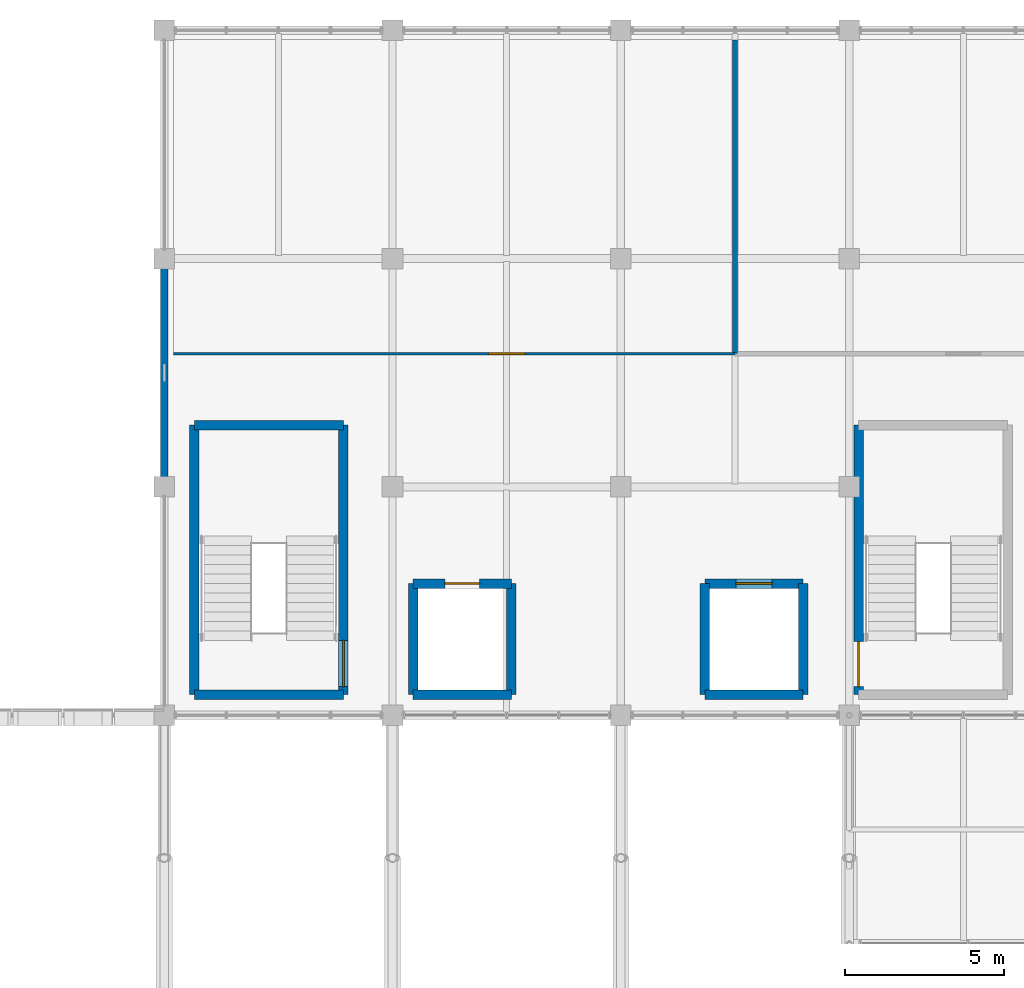
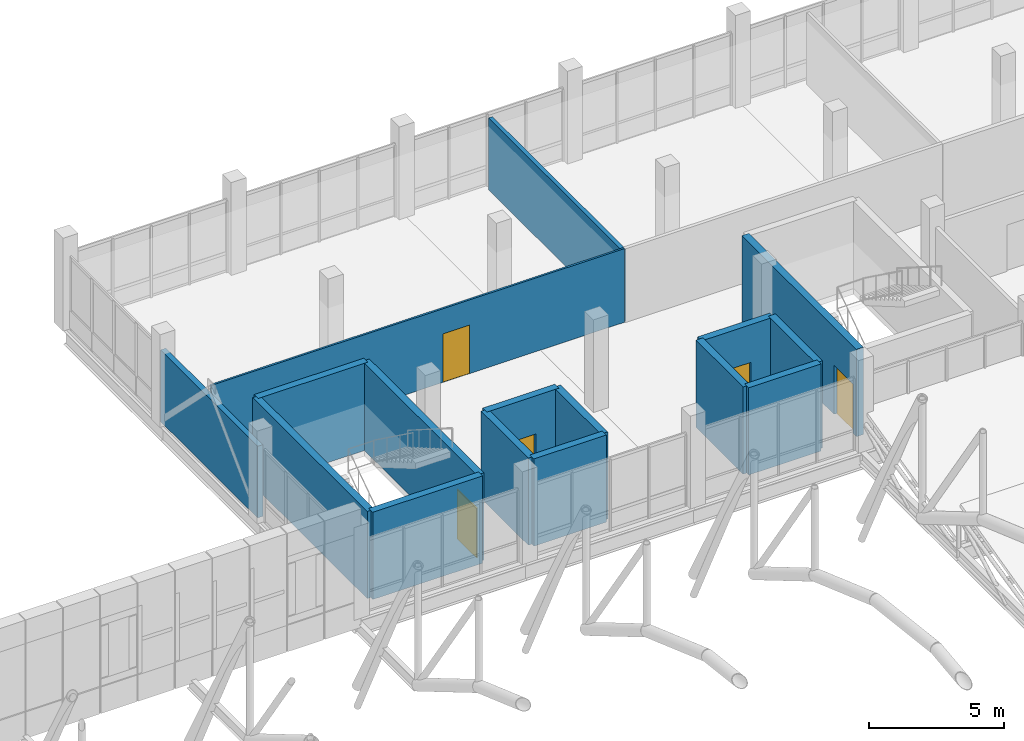
# One storey, part 103 of 144: 16 walls, 5 doors, 5 openings.
"""IFC4 building model written with IfcOpenShell, lengths in metres."""

import ifcopenshell
import ifcopenshell.guid

model = None  # the IFC model being written
_history = None  # IfcOwnerHistory: only IFC2X3 demands one
_inside = {}  # id of a spatial element -> (the spatial element, [elements in it])
_under = {}  # id of a project, library or spatial element -> (it, [spatial elements below it])
_declared = {}  # id of a project -> (the project, [libraries it declares])
_typed = {}  # id of a type object -> (the type object, [elements of that type])
_made_of = {}  # id of a material, layer set ... -> (it, [elements and type objects made of it])


def new_model(schema):
    """Start an empty IFC model of exactly this schema.

    Asked for "IFC4X3", IfcOpenShell would pick the latest addendum, in which some entities
    have other attributes; the version numbers below select the first issue.
    IFC2X3 requires an IfcOwnerHistory on every rooted entity: one is made here for all.
    """
    global model, _history
    if schema == "IFC4X3":
        model = ifcopenshell.file(schema_version=(4, 3, 0, 0))
    else:
        model = ifcopenshell.file(schema=schema)
    _inside.clear()
    _under.clear()
    _declared.clear()
    _typed.clear()
    _made_of.clear()
    _history = None
    if model.schema == "IFC2X3":
        org = make("IfcOrganization", Name="unknown")
        user = make(
            "IfcPersonAndOrganization",
            ThePerson=make("IfcPerson", FamilyName="unknown"),
            TheOrganization=org,
        )
        app = make(
            "IfcApplication",
            ApplicationDeveloper=org,
            Version="unknown",
            ApplicationFullName="unknown",
            ApplicationIdentifier="unknown",
        )
        _history = make(
            "IfcOwnerHistory",
            OwningUser=user,
            OwningApplication=app,
            ChangeAction="ADDED",
            CreationDate=0,
        )
    return model


def make(cls, **values):
    """One entity of the class cls with the attributes given. An attribute that is None is left unset."""
    return model.create_entity(
        cls, **{name: value for name, value in values.items() if value is not None}
    )


def rooted(cls, **values):
    """An entity with a GlobalId (a new one), such as an element, a storey or a relation."""
    return make(cls, GlobalId=ifcopenshell.guid.new(), OwnerHistory=_history, **values)


def si_unit(unit_type, name, prefix=None):
    """IfcSIUnit, for example si_unit("LENGTHUNIT", "METRE", prefix="MILLI")."""
    return make("IfcSIUnit", UnitType=unit_type, Prefix=prefix, Name=name)


def assignment(units):
    """IfcUnitAssignment: the units of a project."""
    return None if units is None else make("IfcUnitAssignment", Units=units)


def point(xyz):
    """IfcCartesianPoint."""
    return None if xyz is None else make("IfcCartesianPoint", Coordinates=xyz)


def direction(xyz):
    """IfcDirection."""
    return None if xyz is None else make("IfcDirection", DirectionRatios=xyz)


def frame(location, z_axis=None, x_axis=None):
    """IfcAxis2Placement3D, a coordinate frame: its origin and axes. An axis left out is left unset."""
    return make(
        "IfcAxis2Placement3D",
        Location=point(location),
        Axis=direction(z_axis),
        RefDirection=direction(x_axis),
    )


def frame_2d(location, x_axis=None):
    """IfcAxis2Placement2D, a coordinate frame in the plane: its origin and x axis."""
    return make(
        "IfcAxis2Placement2D", Location=point(location), RefDirection=direction(x_axis)
    )


def origin():
    """The frame at (0, 0, 0) with its axes left unset."""
    return frame((0.0, 0.0, 0.0))


def place(relative_to, where):
    """IfcLocalPlacement: puts the frame where relative to a parent placement (None: the world)."""
    return make(
        "IfcLocalPlacement", PlacementRelTo=relative_to, RelativePlacement=where
    )


def context(
    kind, dimensions, precision=None, world=None, true_north=None, identifier=None
):
    """IfcGeometricRepresentationContext, for example the 3D "Model" context."""
    return make(
        "IfcGeometricRepresentationContext",
        ContextIdentifier=identifier,
        ContextType=kind,
        CoordinateSpaceDimension=dimensions,
        Precision=precision,
        WorldCoordinateSystem=world,
        TrueNorth=true_north,
    )


def subcontext(parent, identifier, kind, view, scale=None):
    """IfcGeometricRepresentationSubContext, for example "Body" below "Model"."""
    return make(
        "IfcGeometricRepresentationSubContext",
        ContextIdentifier=identifier,
        ContextType=kind,
        ParentContext=parent,
        TargetScale=scale,
        TargetView=view,
    )


def project(units=None, contexts=None):
    """IfcProject with its units and contexts."""
    return rooted(
        "IfcProject",
        Name="project",
        RepresentationContexts=contexts,
        UnitsInContext=assignment(units),
    )


def spatial(cls, under=None, at=None, **own):
    """A site, building, storey or space (cls), placed at a placement, below another one or the project."""
    s = rooted(cls, ObjectPlacement=at, **own)
    if under is not None:
        _under.setdefault(under.id(), (under, []))[1].append(s)
    return s


def profile(cls, at=None, kind="AREA", **sizes):
    """A parametric profile (cls). Its sizes go by their IFC names, for example OverallWidth=200.0."""
    return make(cls, ProfileType=kind, Position=at, **sizes)


def rectangle(**sizes):
    """IfcRectangleProfileDef."""
    return profile("IfcRectangleProfileDef", **sizes)


def extrude(swept, where, along, depth):
    """IfcExtrudedAreaSolid: the profile swept, set in the frame where, extruded along a direction by depth."""
    return make(
        "IfcExtrudedAreaSolid",
        SweptArea=swept,
        Position=where,
        ExtrudedDirection=direction(along),
        Depth=depth,
    )


def shape(context_of_items, identifier, shape_type, items):
    """IfcShapeRepresentation: the items that make up one representation, for example the "Body"."""
    return make(
        "IfcShapeRepresentation",
        ContextOfItems=context_of_items,
        RepresentationIdentifier=identifier,
        RepresentationType=shape_type,
        Items=items,
    )


def material(Name=None, Category=None):
    """IfcMaterial."""
    return make("IfcMaterial", Name=Name, Category=Category)


def layer(
    of_material, thickness, ventilated=None, Name=None, Category=None, Priority=None
):
    """IfcMaterialLayer: one layer of a wall or slab, of a material (None: an air gap)."""
    return make(
        "IfcMaterialLayer",
        Material=of_material,
        LayerThickness=thickness,
        IsVentilated=ventilated,
        Name=Name,
        Category=Category,
        Priority=Priority,
    )


def layer_set(layers, Name=None):
    """IfcMaterialLayerSet."""
    return make("IfcMaterialLayerSet", MaterialLayers=layers, LayerSetName=Name)


def made_of(thing, what):
    """Note that an element or type object is made of a material, layer set ...; save() writes the relation."""
    if what is not None:
        _made_of.setdefault(what.id(), (what, []))[1].append(thing)
    return thing


def type_object(cls, material=None, **own):
    """A type object (cls), such as IfcWallType, which elements share."""
    return made_of(rooted(cls, **own), material)


def element(
    cls,
    number,
    at=None,
    inside=None,
    cuts=None,
    type_object=None,
    material=None,
    context=None,
    identifier="Body",
    shape_type=None,
    held_by="IfcProductDefinitionShape",
    body=None,
    shapes=None,
    **own,
):
    """One element of the class cls, such as IfcWall. Its Tag is "e" and its number.

    at: its placement. inside: the storey or other place that contains it. cuts: it is an
    opening in that element (IfcRelVoidsElement). A single representation is given by context,
    identifier, shape_type and body (its items); several are given by shapes. held_by: the class
    of the entity that holds the representations. save() writes the other relations.
    """
    e = rooted(cls, Tag="e%d" % number, ObjectPlacement=at, **own)
    if body is not None:
        shapes = [shape(context, identifier, shape_type, body)]
    if shapes is not None:
        e.Representation = make(held_by, Representations=shapes)
    if inside is not None:
        _inside.setdefault(inside.id(), (inside, []))[1].append(e)
    if cuts is not None:
        rooted(
            "IfcRelVoidsElement", RelatingBuildingElement=cuts, RelatedOpeningElement=e
        )
    if type_object is not None:
        _typed.setdefault(type_object.id(), (type_object, []))[1].append(e)
    return made_of(e, material)


def fill(opening, filler):
    """IfcRelFillsElement: the door or window that sits in an opening."""
    return rooted(
        "IfcRelFillsElement",
        RelatingOpeningElement=opening,
        RelatedBuildingElement=filler,
    )


def aggregate(whole, parts):
    """IfcRelAggregates: a whole, such as a stair, and the parts it consists of."""
    return rooted("IfcRelAggregates", RelatingObject=whole, RelatedObjects=parts)


def save(model, path):
    """Write the relations noted so far, then the file.

    IfcRelAggregates (storeys below a building ...), IfcRelContainedInSpatialStructure (elements
    in a storey), IfcRelDefinesByType, IfcRelAssociatesMaterial and IfcRelDeclares: one each for
    every whole, place, type object, material and project.
    """
    for whole, parts in _under.values():
        aggregate(whole, parts)
    for where, things in _inside.values():
        rooted(
            "IfcRelContainedInSpatialStructure",
            RelatedElements=things,
            RelatingStructure=where,
        )
    for kind, things in _typed.values():
        rooted("IfcRelDefinesByType", RelatedObjects=things, RelatingType=kind)
    for what, things in _made_of.values():
        rooted("IfcRelAssociatesMaterial", RelatedObjects=things, RelatingMaterial=what)
    for by, libraries in _declared.values():
        rooted("IfcRelDeclares", RelatingContext=by, RelatedDefinitions=libraries)
    model.write(path)


model = new_model("IFC4")

# Units and contexts
model_context = context("Model", 3, precision=1e-05, world=origin(), true_north=direction((0.0, 1.0)))
body_context = subcontext(model_context, "Body", "Model", "MODEL_VIEW")
ifc_project = project(units=[si_unit("LENGTHUNIT", "METRE"), si_unit("AREAUNIT", "SQUARE_METRE"), si_unit("VOLUMEUNIT", "CUBIC_METRE"), si_unit("PLANEANGLEUNIT", "RADIAN"), si_unit("MASSUNIT", "GRAM", prefix="KILO")], contexts=[model_context])

# Site, building, storey
site_placement = place(None, origin())
site = spatial("IfcSite", under=ifc_project, at=site_placement, CompositionType="ELEMENT")
building_placement = place(site_placement, origin())
building = spatial("IfcBuilding", under=site, at=building_placement, Name="Yarey Park Central Fire Station", CompositionType="ELEMENT")
storey_placement = place(building_placement, frame((0.0, 0.0, 10.199951171875)))
storey = spatial("IfcBuildingStorey", under=building, at=storey_placement, Name="L03", CompositionType="ELEMENT", Elevation=10.199951171875)

# Walls
ifc_material_1 = material(Name="Concrete C35/45", Category="concrete")
ifc_layer_1 = layer(ifc_material_1, 0.22998046875)
ifc_layer_set_1 = layer_set([ifc_layer_1], Name="Concrete C35/45")
wall_type_1 = type_object("IfcWallType", Name="ENV_WALL_INS230", PredefinedType="STANDARD", material=ifc_layer_set_1)
wall_1_placement = place(storey_placement, frame((115.199951171875, 108.0, 0.0), z_axis=(0.0, 0.0, 1.0), x_axis=(0.0, -1.0, 0.0)))
element("IfcWall", 1, at=wall_1_placement, inside=storey, type_object=wall_type_1, Name="EW_L03_V4_WB", PredefinedType="STANDARD", context=body_context, shape_type="SweptSolid", body=[
    extrude(rectangle(XDim=7.199951171875, YDim=0.22998046875, at=frame_2d((3.60009765625, 0.0))), origin(), (0.0, 0.0, 1.0), 3.25),
])
ifc_material_2 = material(Name="Concrete C40/50", Category="concrete")
ifc_layer_2 = layer(ifc_material_2, 0.27001953125)
ifc_layer_set_2 = layer_set([ifc_layer_2], Name="Concrete C40/50")
wall_type_2 = type_object("IfcWallType", Name="INT_CORE_RC270", PredefinedType="SHEAR", material=ifc_layer_set_2)
wall_2_placement = place(storey_placement, frame((123.050048828125, 94.25, 0.0), z_axis=(0.0, 0.0, 1.0), x_axis=(1.0, 0.0, 0.0)))
element("IfcWall", 2, at=wall_2_placement, inside=storey, type_object=wall_type_2, Name="LWALL_C1_L03_S", PredefinedType="SHEAR", context=body_context, shape_type="SweptSolid", body=[
    extrude(rectangle(XDim=3.099853515625, YDim=0.300048828125, at=frame_2d((1.5498046875, 0.0))), origin(), (0.0, 0.0, 1.0), 3.949951171875),
])

# Wall, opening, door
wall_3_placement = place(storey_placement, frame((126.14990234375, 97.75, 0.0), z_axis=(0.0, 0.0, 1.0), x_axis=(-1.0, 0.0, 0.0)))
wall_3 = element("IfcWall", 3, at=wall_3_placement, inside=storey, type_object=wall_type_2, Name="LWALL_C1_L03_N", PredefinedType="SHEAR", context=body_context, shape_type="SweptSolid", body=[
    extrude(rectangle(XDim=3.099853515625, YDim=0.300048828125, at=frame_2d((1.5498046875, 0.0))), origin(), (0.0, 0.0, 1.0), 3.949951171875),
])
opening_1_placement = place(wall_3_placement, frame((1.0, 0.0, 0.0)))
opening_1 = element("IfcOpeningElement", 4, at=opening_1_placement, cuts=wall_3, Name="Opening LD-11", PredefinedType="OPENING", context=body_context, shape_type="SweptSolid", body=[
    extrude(rectangle(XDim=1.10009765625, YDim=2.219970703125, at=frame_2d((0.550048828125, 1.10986328125))), frame((0.0, 0.159912109375, 0.0), z_axis=(0.0, -1.0, 0.0), x_axis=(1.0, 0.0, 0.0)), (0.0, 0.0, 1.0), 0.320068359375),
])
ifc_material_3 = material(Name="Stainless Steel AISI 316L", Category="steel")
door_type_1 = type_object("IfcDoorType", Name="DR_LD_1100", OperationType="NOTDEFINED", PredefinedType="DOOR", material=ifc_material_3)
door_1_placement = place(opening_1_placement, origin())
door_1 = element("IfcDoor", 5, at=door_1_placement, inside=storey, type_object=door_type_1, Name="Lift Landing Door LF-1-L03", OperationType="SLIDING_TO_LEFT", OverallHeight=2.219970703125, OverallWidth=1.10009765625, PredefinedType="DOOR", context=body_context, shape_type="SweptSolid", body=[
    extrude(rectangle(XDim=1.10009765625, YDim=2.219970703125, at=frame_2d((0.550048828125, 1.10986328125))), frame((0.0, 0.02490234375, 0.0), z_axis=(0.0, -1.0, 0.0), x_axis=(1.0, 0.0, 0.0)), (0.0, 0.0, 1.0), 0.050048828125),
])
fill(opening_1, door_1)

# Walls
for number, where, z_axis, x_axis, name in (
    (6, (123.050048828125, 97.75, 0.0), (0.0, 0.0, 1.0), (0.0, -1.0, 0.0), "LWALL_C1_L03_W"),
    (7, (126.14990234375, 94.25, 0.0), (0.0, 0.0, 1.0), (0.0, 1.0, 0.0), "LWALL_C1_L03_E"),
):
    element("IfcWall", number, at=place(storey_placement, frame(where, z_axis=z_axis, x_axis=x_axis)), inside=storey, type_object=wall_type_2, Name=name, PredefinedType="SHEAR", context=body_context, shape_type="SweptSolid", body=[
        extrude(rectangle(XDim=3.5, YDim=0.300048828125, at=frame_2d((1.75, 0.0))), origin(), (0.0, 0.0, 1.0), 3.949951171875),
    ])
wall_4_placement = place(storey_placement, frame((132.25, 94.25, 0.0), z_axis=(0.0, 0.0, 1.0), x_axis=(1.0, 0.0, 0.0)))
element("IfcWall", 8, at=wall_4_placement, inside=storey, type_object=wall_type_2, Name="LWALL_C2_L03_S", PredefinedType="SHEAR", context=body_context, shape_type="SweptSolid", body=[
    extrude(rectangle(XDim=3.10009765625, YDim=0.300048828125, at=frame_2d((1.550048828125, 0.0))), origin(), (0.0, 0.0, 1.0), 3.949951171875),
])

# Wall, opening, door
wall_5_placement = place(storey_placement, frame((135.35009765625, 97.75, 0.0), z_axis=(0.0, 0.0, 1.0), x_axis=(-1.0, 0.0, 0.0)))
wall_5 = element("IfcWall", 9, at=wall_5_placement, inside=storey, type_object=wall_type_2, Name="LWALL_C2_L03_N", PredefinedType="SHEAR", context=body_context, shape_type="SweptSolid", body=[
    extrude(rectangle(XDim=3.10009765625, YDim=0.300048828125, at=frame_2d((1.550048828125, 0.0))), origin(), (0.0, 0.0, 1.0), 3.949951171875),
])
opening_2_placement = place(wall_5_placement, frame((0.97998046875, 0.0, 0.0)))
opening_2 = element("IfcOpeningElement", 10, at=opening_2_placement, cuts=wall_5, Name="Opening LD-11B", PredefinedType="OPENING", context=body_context, shape_type="SweptSolid", body=[
    extrude(rectangle(XDim=1.139892578125, YDim=2.239990234375, at=frame_2d((0.56982421875, 1.1201171875))), frame((0.0, 0.159912109375, 0.0), z_axis=(0.0, -1.0, 0.0), x_axis=(1.0, 0.0, 0.0)), (0.0, 0.0, 1.0), 0.320068359375),
])
door_type_2 = type_object("IfcDoorType", Name="DR_LD_1140", OperationType="NOTDEFINED", PredefinedType="DOOR", material=ifc_material_3)
door_2_placement = place(opening_2_placement, origin())
door_2 = element("IfcDoor", 11, at=door_2_placement, inside=storey, type_object=door_type_2, Name="Lift Landing Door LF-2-L03", OperationType="SLIDING_TO_LEFT", OverallHeight=2.239990234375, OverallWidth=1.139892578125, PredefinedType="DOOR", context=body_context, shape_type="SweptSolid", body=[
    extrude(rectangle(XDim=1.139892578125, YDim=2.239990234375, at=frame_2d((0.56982421875, 1.1201171875))), frame((0.0, 0.02490234375, 0.0), z_axis=(0.0, -1.0, 0.0), x_axis=(1.0, 0.0, 0.0)), (0.0, 0.0, 1.0), 0.050048828125),
])
fill(opening_2, door_2)

# Walls
for number, where, z_axis, x_axis, name in (
    (12, (132.25, 97.75, 0.0), (0.0, 0.0, 1.0), (0.0, -1.0, 0.0), "LWALL_C2_L03_W"),
    (13, (135.35009765625, 94.25, 0.0), (0.0, 0.0, 1.0), (0.0, 1.0, 0.0), "LWALL_C2_L03_E"),
):
    element("IfcWall", number, at=place(storey_placement, frame(where, z_axis=z_axis, x_axis=x_axis)), inside=storey, type_object=wall_type_2, Name=name, PredefinedType="SHEAR", context=body_context, shape_type="SweptSolid", body=[
        extrude(rectangle(XDim=3.5, YDim=0.300048828125, at=frame_2d((1.75, 0.0))), origin(), (0.0, 0.0, 1.0), 3.949951171875),
    ])
ifc_layer_3 = layer(ifc_material_2, 0.300048828125)
ifc_layer_set_3 = layer_set([ifc_layer_3], Name="Concrete C40/50")
wall_type_3 = type_object("IfcWallType", Name="INT_CORE_RC300", PredefinedType="SHEAR", material=ifc_layer_set_3)
for number, where, z_axis, x_axis, name in (
    (14, (116.14990234375, 94.25, 0.0), (0.0, 0.0, 1.0), (1.0, 0.0, 0.0), "CWALL_C1_L03_S"),
    (15, (120.85009765625, 102.75, 0.0), (0.0, 0.0, 1.0), (-1.0, 0.0, 0.0), "CWALL_C1_L03_N"),
):
    element("IfcWall", number, at=place(storey_placement, frame(where, z_axis=z_axis, x_axis=x_axis)), inside=storey, type_object=wall_type_3, Name=name, PredefinedType="SHEAR", context=body_context, shape_type="SweptSolid", body=[
        extrude(rectangle(XDim=4.7001953125, YDim=0.300048828125, at=frame_2d((2.35009765625, 0.0))), origin(), (0.0, 0.0, 1.0), 3.949951171875),
    ])
wall_6_placement = place(storey_placement, frame((116.14990234375, 102.75, 0.0), z_axis=(0.0, 0.0, 1.0), x_axis=(0.0, -1.0, 0.0)))
element("IfcWall", 16, at=wall_6_placement, inside=storey, type_object=wall_type_3, Name="CWALL_C1_L03_W", PredefinedType="SHEAR", context=body_context, shape_type="SweptSolid", body=[
    extrude(rectangle(XDim=8.5, YDim=0.300048828125, at=frame_2d((4.25, 0.0))), origin(), (0.0, 0.0, 1.0), 3.949951171875),
])

# Wall, opening, door
wall_7_placement = place(storey_placement, frame((120.85009765625, 94.25, 0.0), z_axis=(0.0, 0.0, 1.0), x_axis=(0.0, 1.0, 0.0)))
wall_7 = element("IfcWall", 17, at=wall_7_placement, inside=storey, type_object=wall_type_3, Name="CWALL_C1_L03_E", PredefinedType="SHEAR", context=body_context, shape_type="SweptSolid", body=[
    extrude(rectangle(XDim=8.5, YDim=0.300048828125, at=frame_2d((4.25, 0.0))), origin(), (0.0, 0.0, 1.0), 3.949951171875),
])
opening_3_placement = place(wall_7_placement, frame((0.25, 0.0, 0.0)))
opening_3 = element("IfcOpeningElement", 18, at=opening_3_placement, cuts=wall_7, Name="Opening SD-146", PredefinedType="OPENING", context=body_context, shape_type="SweptSolid", body=[
    extrude(rectangle(XDim=1.4599609375, YDim=2.239990234375, at=frame_2d((0.72998046875, 1.1201171875))), frame((0.0, 0.159912109375, 0.0), z_axis=(0.0, -1.0, 0.0), x_axis=(1.0, 0.0, 0.0)), (0.0, 0.0, 1.0), 0.320068359375),
])
ifc_material_4 = material(Name="Galvanized Hollow Metal Door", Category="metal")
door_type_3 = type_object("IfcDoorType", Name="DR_STAIR_1460", OperationType="NOTDEFINED", PredefinedType="DOOR", material=ifc_material_4)
door_3_placement = place(opening_3_placement, origin())
door_3 = element("IfcDoor", 19, at=door_3_placement, inside=storey, type_object=door_type_3, Name="DOOR_STAIR_C1_L03", OperationType="SINGLE_SWING_LEFT", OverallHeight=2.239990234375, OverallWidth=1.4599609375, PredefinedType="DOOR", context=body_context, shape_type="SweptSolid", body=[
    extrude(rectangle(XDim=1.4599609375, YDim=2.239990234375, at=frame_2d((0.72998046875, 1.1201171875))), frame((0.0, 0.02490234375, 0.0), z_axis=(0.0, -1.0, 0.0), x_axis=(1.0, 0.0, 0.0)), (0.0, 0.0, 1.0), 0.050048828125),
])
fill(opening_3, door_3)

wall_8_placement = place(storey_placement, frame((137.10009765625, 102.75, 0.0), z_axis=(0.0, 0.0, 1.0), x_axis=(0.0, -1.0, 0.0)))
wall_8 = element("IfcWall", 20, at=wall_8_placement, inside=storey, type_object=wall_type_3, Name="CWALL_C2_L03_W", PredefinedType="SHEAR", context=body_context, shape_type="SweptSolid", body=[
    extrude(rectangle(XDim=8.5, YDim=0.300048828125, at=frame_2d((4.25, 0.0))), origin(), (0.0, 0.0, 1.0), 3.949951171875),
])
opening_4_placement = place(wall_8_placement, frame((6.830078125, 0.0, 0.0)))
opening_4 = element("IfcOpeningElement", 21, at=opening_4_placement, cuts=wall_8, Name="Opening SD-142", PredefinedType="OPENING", context=body_context, shape_type="SweptSolid", body=[
    extrude(rectangle(XDim=1.419921875, YDim=2.219970703125, at=frame_2d((0.7099609375, 1.10986328125))), frame((0.0, 0.159912109375, 0.0), z_axis=(0.0, -1.0, 0.0), x_axis=(1.0, 0.0, 0.0)), (0.0, 0.0, 1.0), 0.320068359375),
])
door_type_4 = type_object("IfcDoorType", Name="DR_STAIR_1420", OperationType="NOTDEFINED", PredefinedType="DOOR", material=ifc_material_4)
door_4_placement = place(opening_4_placement, origin())
door_4 = element("IfcDoor", 22, at=door_4_placement, inside=storey, type_object=door_type_4, Name="DOOR_STAIR_C2_L03", OperationType="SINGLE_SWING_LEFT", OverallHeight=2.219970703125, OverallWidth=1.419921875, PredefinedType="DOOR", context=body_context, shape_type="SweptSolid", body=[
    extrude(rectangle(XDim=1.419921875, YDim=2.219970703125, at=frame_2d((0.7099609375, 1.10986328125))), frame((0.0, 0.02490234375, 0.0), z_axis=(0.0, -1.0, 0.0), x_axis=(1.0, 0.0, 0.0)), (0.0, 0.0, 1.0), 0.050048828125),
])
fill(opening_4, door_4)

# Wall
ifc_material_5 = material(Name="Gypsum Shaftliner Assembly", Category="gypsum")
ifc_layer_4 = layer(ifc_material_5, 0.169921875)
ifc_layer_set_4 = layer_set([ifc_layer_4], Name="Gypsum Shaftliner Assembly")
wall_type_4 = type_object("IfcWallType", Name="INT_WALL_AC170", PredefinedType="STANDARD", material=ifc_layer_set_4)
wall_9_placement = place(storey_placement, frame((133.199951171875, 105.0, 0.0), z_axis=(0.0, 0.0, 1.0), x_axis=(0.0, 1.0, 0.0)))
element("IfcWall", 23, at=wall_9_placement, inside=storey, type_object=wall_type_4, Name="PART_SPC_L03_PREV1_EAST", PredefinedType="STANDARD", context=body_context, shape_type="SweptSolid", body=[
    extrude(rectangle(XDim=9.89990234375, YDim=0.169921875, at=frame_2d((4.949951171875, 0.0))), origin(), (0.0, 0.0, 1.0), 3.257080078125),
])

# Wall, opening, door
ifc_material_6 = material(Name="Gypsum Acoustic Partition", Category="gypsum")
ifc_layer_5 = layer(ifc_material_6, 0.0859375)
ifc_layer_set_5 = layer_set([ifc_layer_5], Name="Gypsum Acoustic Partition")
wall_type_5 = type_object("IfcWallType", Name="INT_WALL_PT086", PredefinedType="STANDARD", material=ifc_layer_set_5)
wall_10_placement = place(storey_placement, frame((115.5, 105.0, 0.0), z_axis=(0.0, 0.0, 1.0), x_axis=(1.0, 0.0, 0.0)))
wall_10 = element("IfcWall", 24, at=wall_10_placement, inside=storey, type_object=wall_type_5, Name="PART_SPC_L03_PREV1_SOUTH", PredefinedType="STANDARD", context=body_context, shape_type="SweptSolid", body=[
    extrude(rectangle(XDim=17.699951171875, YDim=0.0859375, at=frame_2d((8.85009765625, 0.0))), origin(), (0.0, 0.0, 1.0), 3.338134765625),
])
opening_5_placement = place(wall_10_placement, frame((9.929931640625, 0.0, 0.0)))
opening_5 = element("IfcOpeningElement", 25, at=opening_5_placement, cuts=wall_10, Name="Opening ID-114", PredefinedType="OPENING", context=body_context, shape_type="SweptSolid", body=[
    extrude(rectangle(XDim=1.139892578125, YDim=2.199951171875, at=frame_2d((0.56982421875, 1.10009765625))), frame((0.0, 0.052978515625, 0.0), z_axis=(0.0, -1.0, 0.0), x_axis=(1.0, 0.0, 0.0)), (0.0, 0.0, 1.0), 0.10595703125),
])
ifc_material_7 = material(Name="Hardwood Acoustic Leaf", Category="wood")
door_type_5 = type_object("IfcDoorType", Name="DR_INT_1140", OperationType="NOTDEFINED", PredefinedType="DOOR", material=ifc_material_7)
door_5_placement = place(opening_5_placement, origin())
door_5 = element("IfcDoor", 26, at=door_5_placement, inside=storey, type_object=door_type_5, Name="DOOR_SPC_L03_PREV1", OperationType="SINGLE_SWING_LEFT", OverallHeight=2.199951171875, OverallWidth=1.139892578125, PredefinedType="DOOR", context=body_context, shape_type="SweptSolid", body=[
    extrude(rectangle(XDim=1.139892578125, YDim=2.199951171875, at=frame_2d((0.56982421875, 1.10009765625))), frame((0.0, 0.02490234375, 0.0), z_axis=(0.0, -1.0, 0.0), x_axis=(1.0, 0.0, 0.0)), (0.0, 0.0, 1.0), 0.050048828125),
])
fill(opening_5, door_5)

save(model, "model.ifc")
